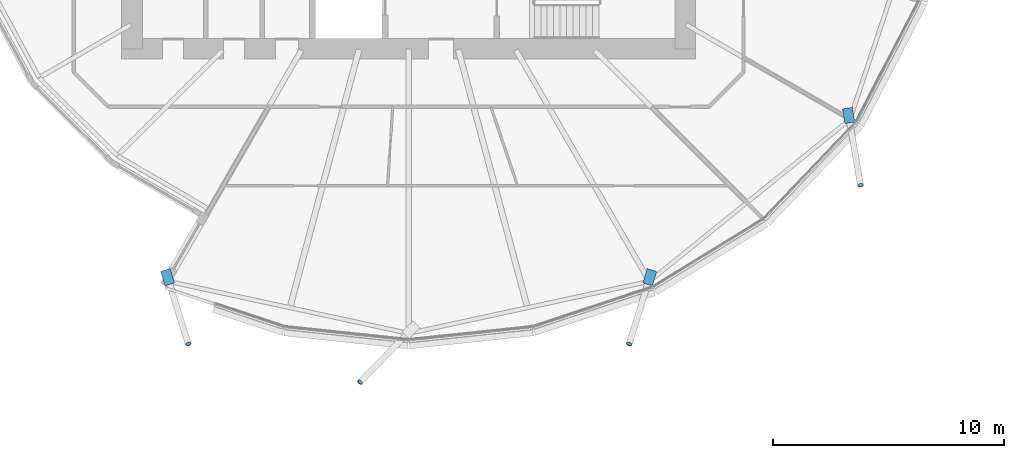
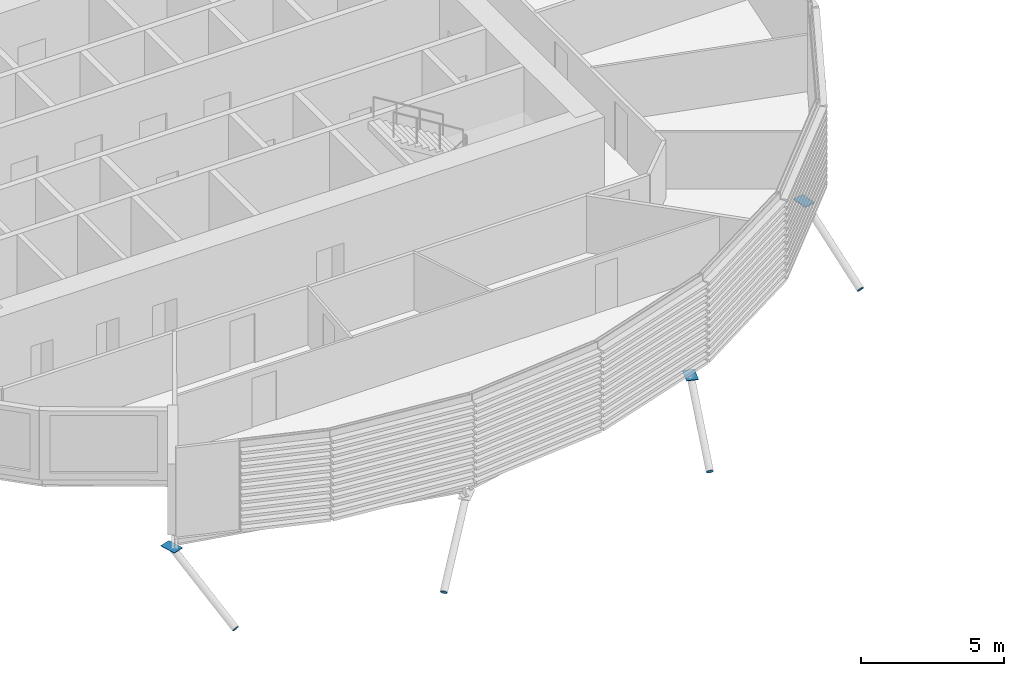
# One storey, part 28 of 37: 7 discrete accessories.
"""IFC4 building model written with IfcOpenShell, lengths in metres."""

from ifc_helpers import new_model, si_unit, direction, frame, origin, origin_2d, place, context, subcontext, project, spatial, polyline, rectangle, circle, outline, extrude, material, material_profile, profile_set, type_object, element, save


model = new_model("IFC4")

# Units and contexts
model_context = context("Model", 3, precision=1e-05, world=origin(), true_north=direction((0.0, 1.0)))
body_context = subcontext(model_context, "Body", "Model", "MODEL_VIEW")
ifc_project = project(units=[si_unit("LENGTHUNIT", "METRE"), si_unit("AREAUNIT", "SQUARE_METRE"), si_unit("VOLUMEUNIT", "CUBIC_METRE"), si_unit("PLANEANGLEUNIT", "RADIAN"), si_unit("MASSUNIT", "GRAM", prefix="KILO")], contexts=[model_context])

# Site, building, storey
site_placement = place(None, origin())
site = spatial("IfcSite", under=ifc_project, at=site_placement, CompositionType="ELEMENT")
building_placement = place(site_placement, origin())
building = spatial("IfcBuilding", under=site, at=building_placement, Name="Rimbun Link Towers", CompositionType="ELEMENT")
storey_placement = place(building_placement, frame((0.0, 0.0, 60.39990234375)))
storey = spatial("IfcBuildingStorey", under=building, at=storey_placement, Name="L14", CompositionType="ELEMENT", Elevation=60.39990234375)

# Discrete accessories
ifc_material_1 = material(Name="Steel S355J2H", Category="steel")
ifc_material_profile_1 = material_profile(ifc_material_1, circle(Radius=0.1240234375, at=origin_2d()), Name="PL D248")
ifc_profile_set_1 = profile_set([ifc_material_profile_1], Name="Steel S355J2H")
discrete_accessory_type_1 = type_object("IfcDiscreteAccessoryType", Name="Link foot sealing plate D248X20", PredefinedType="BRACKET", material=ifc_profile_set_1)
discrete_accessory_1_placement = place(storey_placement, frame((-41.314697265625, -20.802734375, -2.798095703125), z_axis=(0.245255735794, -0.79708114133, -0.551825405536), x_axis=(0.955779008722, 0.294085848838, 0.0)))
element("IfcDiscreteAccessory", 1, at=discrete_accessory_1_placement, inside=storey, type_object=discrete_accessory_type_1, Name="Link foot sealing plate T1 L14 16", PredefinedType="BRACKET", context=body_context, shape_type="SweptSolid", body=[
    extrude(circle(Radius=0.1240234375, at=origin_2d()), origin(), (0.0, 0.0, 1.0), 0.02001953125),
])
discrete_accessory_2_placement = place(storey_placement, frame((-33.858642578125, -22.4560546875, -2.851806640625), z_axis=(-0.589012480729, -0.601283574077, -0.539928107335), x_axis=(0.714358581375, -0.699779834816, 0.0)))
element("IfcDiscreteAccessory", 2, at=discrete_accessory_2_placement, inside=storey, type_object=discrete_accessory_type_1, Name="Link foot sealing plate T1 L14 18", PredefinedType="BRACKET", context=body_context, shape_type="SweptSolid", body=[
    extrude(circle(Radius=0.1240234375, at=origin_2d()), origin(), (0.0, 0.0, 1.0), 0.019775390625),
])
discrete_accessory_3_placement = place(storey_placement, frame((-22.185302734375, -20.802734375, -2.798095703125), z_axis=(-0.245255735794, -0.79708114133, -0.551825405536), x_axis=(0.955779008722, -0.294085848838, 0.0)))
element("IfcDiscreteAccessory", 3, at=discrete_accessory_3_placement, inside=storey, type_object=discrete_accessory_type_1, Name="Link foot sealing plate T1 L14 20", PredefinedType="BRACKET", context=body_context, shape_type="SweptSolid", body=[
    extrude(circle(Radius=0.1240234375, at=origin_2d()), origin(), (0.0, 0.0, 1.0), 0.02001953125),
])
discrete_accessory_4_placement = place(storey_placement, frame((-12.14697265625, -13.91748046875, -2.71923828125), z_axis=(0.133208623303, -0.811361614662, -0.569164117748), x_axis=(0.986789091699, 0.162010149383, 0.0)))
element("IfcDiscreteAccessory", 4, at=discrete_accessory_4_placement, inside=storey, type_object=discrete_accessory_type_1, Name="Link foot sealing plate T1 L14 22", PredefinedType="BRACKET", context=body_context, shape_type="SweptSolid", body=[
    extrude(circle(Radius=0.1240234375, at=origin_2d()), origin(), (0.0, 0.0, 1.0), 0.020263671875),
])
ifc_material_2 = material(Name="Steel S355J2H", Category="steel")
ifc_material_profile_2 = material_profile(ifc_material_2, rectangle(XDim=0.43310546875, YDim=0.43310546875, at=origin_2d()), Name="PL 433x433")
ifc_profile_set_2 = profile_set([ifc_material_profile_2], Name="Steel S355J2H")
discrete_accessory_type_2 = type_object("IfcDiscreteAccessoryType", Name="Link head end plate 433X20", PredefinedType="BRACKET", material=ifc_profile_set_2)
discrete_accessory_5_placement = place(storey_placement, frame((0.0, 0.0, -0.782470703125)))
element("IfcDiscreteAccessory", 5, at=discrete_accessory_5_placement, inside=storey, type_object=discrete_accessory_type_2, Name="Link head end plate T1 L14 16", PredefinedType="BRACKET", context=body_context, shape_type="SweptSolid", body=[
    extrude(outline(polyline([(-42.513427734375, -17.662841796875), (-42.3203125, -18.286376953125), (-41.90673828125, -18.158203125), (-42.099609375, -17.534912109375), (-42.513427734375, -17.662841796875)])), origin(), (0.0, 0.0, 1.0), 0.02001953125),
])
discrete_accessory_6_placement = place(storey_placement, frame((0.0, 0.0, -0.782470703125)))
element("IfcDiscreteAccessory", 6, at=discrete_accessory_6_placement, inside=storey, type_object=discrete_accessory_type_2, Name="Link head end plate T1 L14 20", PredefinedType="BRACKET", context=body_context, shape_type="SweptSolid", body=[
    extrude(outline(polyline([(-21.400390625, -17.534912109375), (-21.59326171875, -18.158203125), (-21.1796875, -18.286376953125), (-20.986572265625, -17.662841796875), (-21.400390625, -17.534912109375)])), origin(), (0.0, 0.0, 1.0), 0.02001953125),
])
discrete_accessory_7_placement = place(storey_placement, frame((0.0, 0.0, -0.63330078125)))
element("IfcDiscreteAccessory", 7, at=discrete_accessory_7_placement, inside=storey, type_object=discrete_accessory_type_2, Name="Link head end plate T1 L14 22", PredefinedType="BRACKET", context=body_context, shape_type="SweptSolid", body=[
    extrude(outline(polyline([(-12.933837890625, -10.615478515625), (-12.82470703125, -11.25146484375), (-12.39794921875, -11.177978515625), (-12.507080078125, -10.542236328125), (-12.933837890625, -10.615478515625)])), origin(), (0.0, 0.0, 1.0), 0.02001953125),
])

save(model, "model.ifc")
